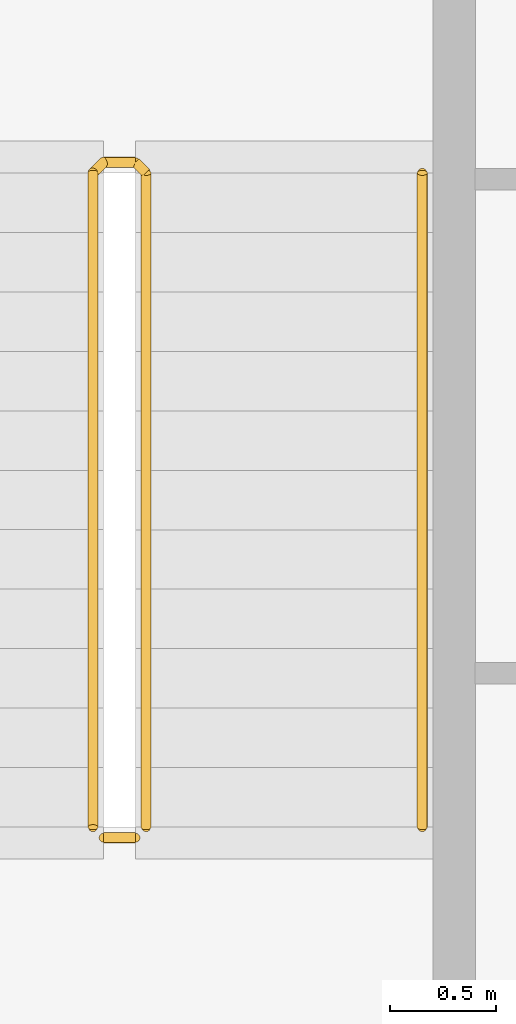
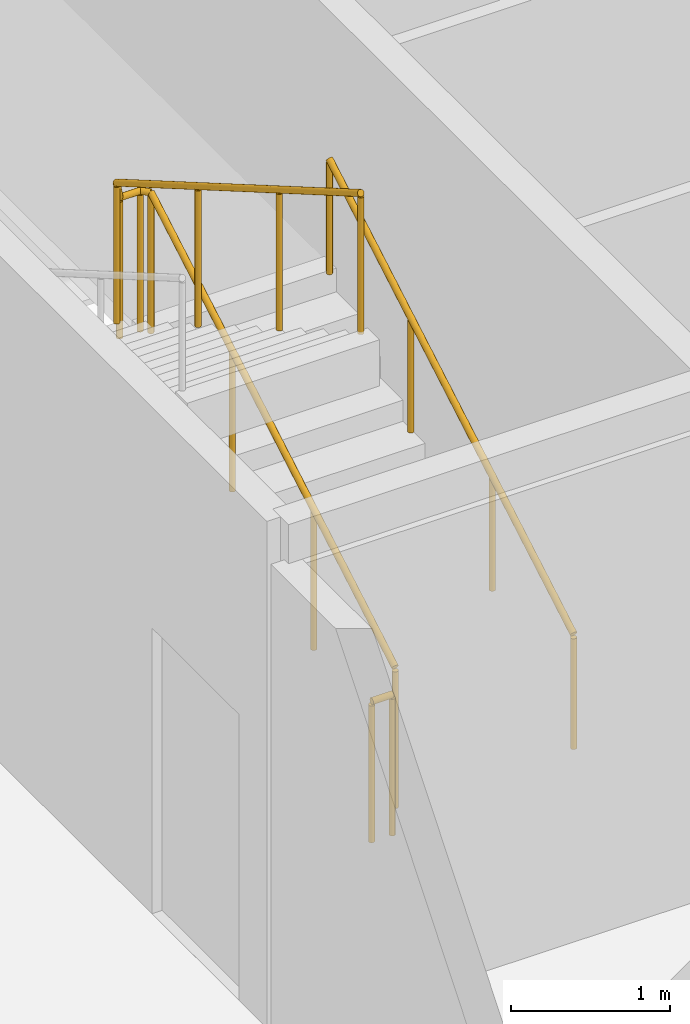
# One storey, part 20 of 21: 3 railings.
"""IFC4 building model written with IfcOpenShell, lengths in metres."""

from ifc_helpers import new_model, si_unit, direction, frame, origin, origin_2d, place, context, subcontext, project, spatial, circle, extrude, material, type_object, element, save


model = new_model("IFC4")

# Units and contexts
model_context = context("Model", 3, precision=1e-05, world=origin(), true_north=direction((0.0, 1.0)))
body_context = subcontext(model_context, "Body", "Model", "MODEL_VIEW")
ifc_project = project(units=[si_unit("LENGTHUNIT", "METRE"), si_unit("AREAUNIT", "SQUARE_METRE"), si_unit("VOLUMEUNIT", "CUBIC_METRE"), si_unit("PLANEANGLEUNIT", "RADIAN"), si_unit("MASSUNIT", "GRAM", prefix="KILO")], contexts=[model_context])

# Site, building, storey
site_placement = place(None, origin())
site = spatial("IfcSite", under=ifc_project, at=site_placement, CompositionType="ELEMENT")
building_placement = place(site_placement, origin())
building = spatial("IfcBuilding", under=site, at=building_placement, Name="Kheshtan School and Residences Tower", CompositionType="ELEMENT")
storey_placement = place(building_placement, frame((0.0, 0.0, 321.5)))
storey = spatial("IfcBuildingStorey", under=building, at=storey_placement, Name="L76", CompositionType="ELEMENT", Elevation=321.5)

# Railings
ifc_material_1 = material(Name="Stainless steel balustrade", Category="steel")
railing_type_1 = type_object("IfcRailingType", Name="Stair guard 1100", PredefinedType="GUARDRAIL", material=ifc_material_1)
railing_1_placement = place(storey_placement, frame((35.0, 80.89990234375, 0.16259765625)))
element("IfcRailing", 1, at=railing_1_placement, inside=storey, type_object=railing_type_1, Name="L76 ST3 stair guard 1", PredefinedType="GUARDRAIL", context=body_context, shape_type="SweptSolid", body=[
    extrude(circle(Radius=0.02392578125, at=origin_2d()), frame((0.0, 0.0, 1.076171875), z_axis=(0.0, 0.864920483161, 0.501908913857), x_axis=(-1.0, 0.0, 0.0)), (0.0, 0.0, 1.0), 3.56103515625),
    extrude(circle(Radius=0.02392578125, at=origin_2d()), frame((0.0, 3.080078125, 2.86328125), z_axis=(-0.707106781187, 0.707106781187, 0.0), x_axis=(-0.707106781187, -0.707106781187, 0.0)), (0.0, 0.0, 1.0), 0.07080078125),
    extrude(circle(Radius=0.02392578125, at=origin_2d()), frame((-0.050048828125, 3.130126953125, 2.86328125), z_axis=(-1.0, 0.0, 0.0), x_axis=(0.0, -1.0, 0.0)), (0.0, 0.0, 1.0), 0.14990234375),
    extrude(circle(Radius=0.02392578125, at=origin_2d()), frame((-0.199951171875, 3.130126953125, 2.86328125), z_axis=(-0.282227285176, -0.282227285176, 0.916894497205), x_axis=(0.707106781187, -0.707106781187, 0.0)), (0.0, 0.0, 1.0), 0.17724609375),
    extrude(circle(Radius=0.02392578125, at=origin_2d()), frame((-0.25, 3.080078125, 3.02587890625), z_axis=(0.0, -0.864920483161, 0.501908913857), x_axis=(1.0, 0.0, 0.0)), (0.0, 0.0, 1.0), 3.56103515625),
    extrude(circle(Radius=0.02099609375, at=origin_2d()), origin(), (0.0, 0.0, 1.0), 1.052001953125),
    extrude(circle(Radius=0.02099609375, at=origin_2d()), frame((0.0, 1.026611328125, 0.595703125)), (0.0, 0.0, 1.0), 1.052001953125),
    extrude(circle(Radius=0.02099609375, at=origin_2d()), frame((0.0, 2.053466796875, 1.191650390625)), (0.0, 0.0, 1.0), 1.052001953125),
    extrude(circle(Radius=0.02099609375, at=origin_2d()), frame((0.0, 3.080078125, 1.787353515625)), (0.0, 0.0, 1.0), 1.052001953125),
    extrude(circle(Radius=0.02099609375, at=origin_2d()), frame((-0.050048828125, 3.130126953125, 1.787353515625)), (0.0, 0.0, 1.0), 1.052001953125),
    extrude(circle(Radius=0.02099609375, at=origin_2d()), frame((-0.199951171875, 3.130126953125, 1.787353515625)), (0.0, 0.0, 1.0), 1.052001953125),
    extrude(circle(Radius=0.02099609375, at=origin_2d()), frame((-0.25, 3.080078125, 1.949951171875)), (0.0, 0.0, 1.0), 1.052001953125),
    extrude(circle(Radius=0.02099609375, at=origin_2d()), frame((-0.25, 2.053466796875, 2.545654296875)), (0.0, 0.0, 1.0), 1.052001953125),
    extrude(circle(Radius=0.02099609375, at=origin_2d()), frame((-0.25, 1.026611328125, 3.1416015625)), (0.0, 0.0, 1.0), 1.052001953125),
    extrude(circle(Radius=0.02099609375, at=origin_2d()), frame((-0.25, 0.0, 3.7373046875)), (0.0, 0.0, 1.0), 1.052001953125),
])
railing_2_placement = place(storey_placement, frame((34.949951171875, 80.85009765625, 0.0)))
element("IfcRailing", 2, at=railing_2_placement, inside=storey, type_object=railing_type_1, Name="L76 ST3 stair guard 2", PredefinedType="GUARDRAIL", context=body_context, shape_type="SweptSolid", body=[
    extrude(circle(Radius=0.02392578125, at=origin_2d()), frame((0.0, 0.0, 1.076171875), z_axis=(-1.0, 0.0, 0.0), x_axis=(0.0, -1.0, 0.0)), (0.0, 0.0, 1.0), 0.14990234375),
    extrude(circle(Radius=0.02099609375, at=origin_2d()), origin(), (0.0, 0.0, 1.0), 1.052001953125),
    extrude(circle(Radius=0.02099609375, at=origin_2d()), frame((-0.14990234375, 0.0, 0.0)), (0.0, 0.0, 1.0), 1.052001953125),
])
ifc_material_2 = material(Name="Stainless steel handrail", Category="steel")
railing_type_2 = type_object("IfcRailingType", Name="Stair handrail 900", PredefinedType="HANDRAIL", material=ifc_material_2)
railing_3_placement = place(storey_placement, frame((36.300048828125, 80.89990234375, 0.16259765625)))
element("IfcRailing", 3, at=railing_3_placement, inside=storey, type_object=railing_type_2, Name="L76 ST3 stair handrail 1", PredefinedType="HANDRAIL", context=body_context, shape_type="SweptSolid", body=[
    extrude(circle(Radius=0.02392578125, at=origin_2d()), frame((0.0, 0.0, 0.8759765625), z_axis=(0.0, 0.864920483161, 0.501908913857), x_axis=(-1.0, 0.0, 0.0)), (0.0, 0.0, 1.0), 3.56103515625),
    extrude(circle(Radius=0.02099609375, at=origin_2d()), origin(), (0.0, 0.0, 1.0), 0.851806640625),
    extrude(circle(Radius=0.02099609375, at=origin_2d()), frame((0.0, 1.026611328125, 0.595703125)), (0.0, 0.0, 1.0), 0.851806640625),
    extrude(circle(Radius=0.02099609375, at=origin_2d()), frame((0.0, 2.053466796875, 1.191650390625)), (0.0, 0.0, 1.0), 0.851806640625),
    extrude(circle(Radius=0.02099609375, at=origin_2d()), frame((0.0, 3.080078125, 1.787353515625)), (0.0, 0.0, 1.0), 0.851806640625),
])

save(model, "model.ifc")
